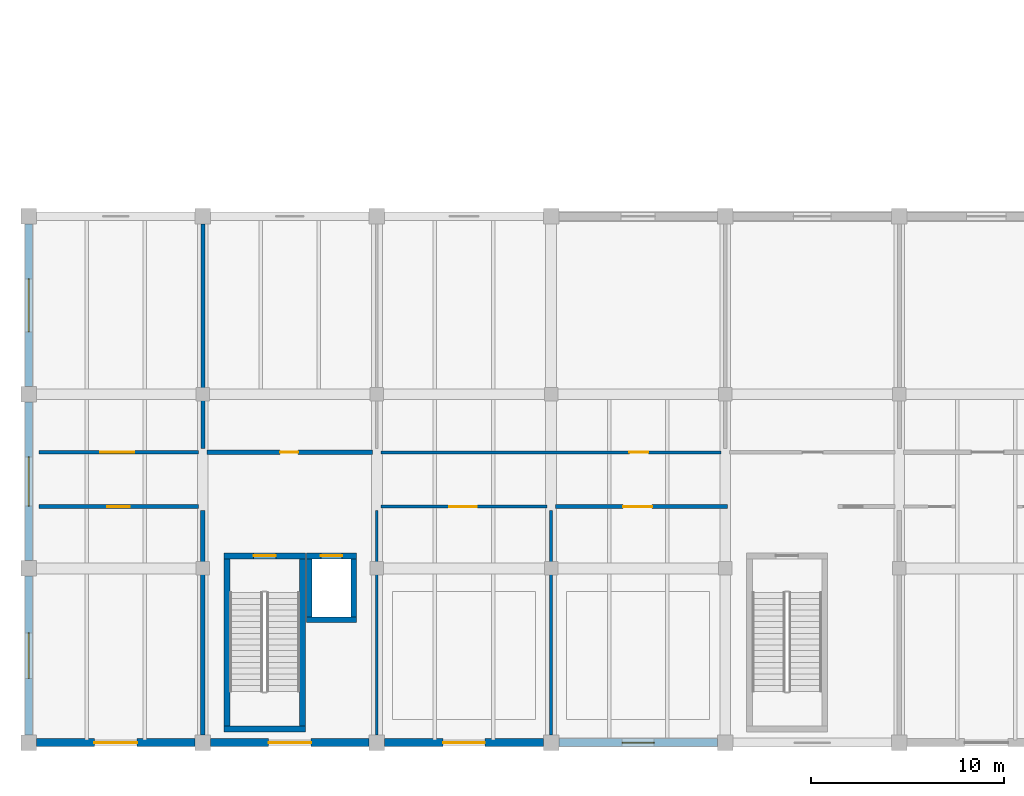
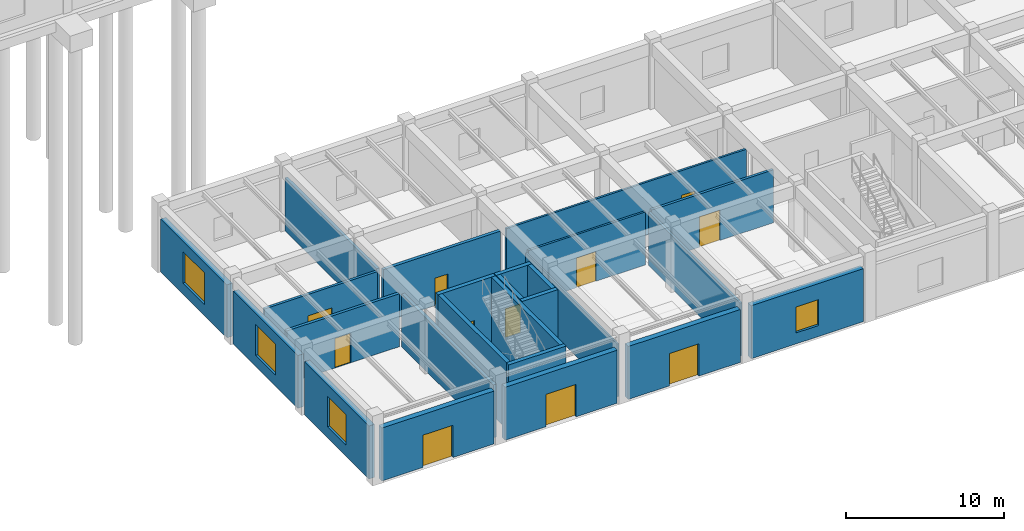
# One storey, part 53 of 76: 25 walls, 11 doors, 4 windows, 15 openings.
"""IFC4 building model written with IfcOpenShell, lengths in metres."""

from ifc_helpers import new_model, si_unit, direction, frame, frame_2d, origin, place, context, subcontext, project, spatial, rectangle, extrude, material, layer, layer_set, type_object, element, fill, save


model = new_model("IFC4")

# Units and contexts
model_context = context("Model", 3, precision=1e-05, world=origin(), true_north=direction((0.0, 1.0)))
body_context = subcontext(model_context, "Body", "Model", "MODEL_VIEW")
ifc_project = project(units=[si_unit("LENGTHUNIT", "METRE"), si_unit("AREAUNIT", "SQUARE_METRE"), si_unit("VOLUMEUNIT", "CUBIC_METRE"), si_unit("PLANEANGLEUNIT", "RADIAN"), si_unit("MASSUNIT", "GRAM", prefix="KILO")], contexts=[model_context])

# Site, building, storey
site_placement = place(None, origin())
site = spatial("IfcSite", under=ifc_project, at=site_placement, CompositionType="ELEMENT")
building_placement = place(site_placement, origin())
building = spatial("IfcBuilding", under=site, at=building_placement, Name="Bozkorgan Art Gallery", CompositionType="ELEMENT")
storey_placement = place(building_placement, origin())
storey = spatial("IfcBuildingStorey", under=building, at=storey_placement, Name="L00", CompositionType="ELEMENT", Elevation=0.0)

# Wall, opening, door
ifc_material_1 = material(Name="Concrete C40/50", Category="concrete")
ifc_layer_1 = layer(ifc_material_1, 0.300048828125, Name="Concrete C40/50")
ifc_layer_set_1 = layer_set([ifc_layer_1], Name="Concrete C40/50")
wall_type_1 = type_object("IfcWallType", Name="IWALL-CW-44", PredefinedType="SHEAR", material=ifc_layer_set_1)
wall_1_placement = place(storey_placement, frame((12.10009765625, 11.64990234375, 0.0), z_axis=(0.0, 0.0, 1.0), x_axis=(1.0, 0.0, 0.0)))
wall_1 = element("IfcWall", 1, at=wall_1_placement, inside=storey, type_object=wall_type_1, Name="CORE1 L00 stair core north shear wall", PredefinedType="SHEAR", context=body_context, shape_type="SweptSolid", body=[
    extrude(rectangle(XDim=4.199951171875, YDim=0.300048828125, at=frame_2d((2.10009765625, 0.0))), origin(), (0.0, 0.0, 1.0), 5.1201171875),
])
opening_1_placement = place(wall_1_placement, frame((1.52490234375, 0.0, 0.0)))
opening_1 = element("IfcOpeningElement", 2, at=opening_1_placement, cuts=wall_1, Name="Opening SD-41", PredefinedType="OPENING", context=body_context, shape_type="SweptSolid", body=[
    extrude(rectangle(XDim=1.14990234375, YDim=2.199951171875, at=frame_2d((0.574951171875, 1.10009765625))), frame((0.0, 0.16015625, 0.0), z_axis=(0.0, -1.0, 0.0), x_axis=(1.0, 0.0, 0.0)), (0.0, 0.0, 1.0), 0.320068359375),
])
ifc_material_2 = material(Name="Steel S355J2", Category="steel")
door_type_1 = type_object("IfcDoorType", Name="IDOOR-SD-41", OperationType="NOTDEFINED", PredefinedType="DOOR", material=ifc_material_2)
door_1_placement = place(opening_1_placement, origin())
door_1 = element("IfcDoor", 3, at=door_1_placement, inside=storey, type_object=door_type_1, Name="ST1 L00 Fire Stair Door", OperationType="SINGLE_SWING_LEFT", OverallHeight=2.199951171875, OverallWidth=1.14990234375, PredefinedType="DOOR", context=body_context, shape_type="SweptSolid", body=[
    extrude(rectangle(XDim=1.14990234375, YDim=2.199951171875, at=frame_2d((0.574951171875, 1.10009765625))), frame((0.0, 0.02490234375, 0.0), z_axis=(0.0, -1.0, 0.0), x_axis=(1.0, 0.0, 0.0)), (0.0, 0.0, 1.0), 0.050048828125),
])
fill(opening_1, door_1)

# Walls
wall_2_placement = place(storey_placement, frame((12.10009765625, 2.699951171875, 0.0), z_axis=(0.0, 0.0, 1.0), x_axis=(1.0, 0.0, 0.0)))
element("IfcWall", 4, at=wall_2_placement, inside=storey, type_object=wall_type_1, Name="CORE1 L00 stair core S shear wall", PredefinedType="SHEAR", context=body_context, shape_type="SweptSolid", body=[
    extrude(rectangle(XDim=4.199951171875, YDim=0.300048828125, at=frame_2d((2.10009765625, 0.0))), origin(), (0.0, 0.0, 1.0), 5.1201171875),
])
for number, where, z_axis, x_axis, name in (
    (5, (12.25, 2.85009765625, 0.0), (0.0, 0.0, 1.0), (0.0, 1.0, 0.0), "CORE1 L00 stair core W shear wall"),
    (6, (16.14990234375, 2.85009765625, 0.0), (0.0, 0.0, 1.0), (0.0, 1.0, 0.0), "CORE1 L00 stair core E shear wall"),
):
    element("IfcWall", number, at=place(storey_placement, frame(where, z_axis=z_axis, x_axis=x_axis)), inside=storey, type_object=wall_type_1, Name=name, PredefinedType="SHEAR", context=body_context, shape_type="SweptSolid", body=[
        extrude(rectangle(XDim=8.64990234375, YDim=0.300048828125, at=frame_2d((4.324951171875, 0.0))), origin(), (0.0, 0.0, 1.0), 5.1201171875),
    ])

# Wall, opening, door
wall_3_placement = place(storey_placement, frame((16.35009765625, 11.64990234375, 0.0), z_axis=(0.0, 0.0, 1.0), x_axis=(1.0, 0.0, 0.0)))
wall_3 = element("IfcWall", 7, at=wall_3_placement, inside=storey, type_object=wall_type_1, Name="PL1 L00 shaft front shear wall", PredefinedType="SHEAR", context=body_context, shape_type="SweptSolid", body=[
    extrude(rectangle(XDim=2.599853515625, YDim=0.300048828125, at=frame_2d((1.2998046875, 0.0))), origin(), (0.0, 0.0, 1.0), 5.1201171875),
])
opening_2_placement = place(wall_3_placement, frame((0.75, 0.0, 0.0)))
opening_2 = element("IfcOpeningElement", 8, at=opening_2_placement, cuts=wall_3, Name="Opening LD-25", PredefinedType="OPENING", context=body_context, shape_type="SweptSolid", body=[
    extrude(rectangle(XDim=1.10009765625, YDim=2.199951171875, at=frame_2d((0.550048828125, 1.10009765625))), frame((0.0, 0.16015625, 0.0), z_axis=(0.0, -1.0, 0.0), x_axis=(1.0, 0.0, 0.0)), (0.0, 0.0, 1.0), 0.320068359375),
])
door_type_2 = type_object("IfcDoorType", Name="IDOOR-LD-25", OperationType="NOTDEFINED", PredefinedType="DOOR", material=ifc_material_2)
door_2_placement = place(opening_2_placement, origin())
door_2 = element("IfcDoor", 9, at=door_2_placement, inside=storey, type_object=door_type_2, Name="LD-PL1-L00 Lift Landing Door", OperationType="SLIDING_TO_LEFT", OverallHeight=2.199951171875, OverallWidth=1.10009765625, PredefinedType="DOOR", context=body_context, shape_type="SweptSolid", body=[
    extrude(rectangle(XDim=1.10009765625, YDim=2.199951171875, at=frame_2d((0.550048828125, 1.10009765625))), frame((0.0, 0.02490234375, 0.0), z_axis=(0.0, -1.0, 0.0), x_axis=(1.0, 0.0, 0.0)), (0.0, 0.0, 1.0), 0.050048828125),
])
fill(opening_2, door_2)

# Walls
wall_4_placement = place(storey_placement, frame((16.35009765625, 8.35009765625, 0.0), z_axis=(0.0, 0.0, 1.0), x_axis=(1.0, 0.0, 0.0)))
element("IfcWall", 10, at=wall_4_placement, inside=storey, type_object=wall_type_1, Name="PL1 L00 shaft S shear wall", PredefinedType="SHEAR", context=body_context, shape_type="SweptSolid", body=[
    extrude(rectangle(XDim=2.599853515625, YDim=0.300048828125, at=frame_2d((1.2998046875, 0.0))), origin(), (0.0, 0.0, 1.0), 5.1201171875),
])
for number, where, z_axis, x_axis, name in (
    (11, (18.800048828125, 8.5, 0.0), (0.0, 0.0, 1.0), (0.0, 1.0, 0.0), "PL1 L00 shaft E shear wall"),
    (12, (16.5, 8.5, 0.0), (0.0, 0.0, 1.0), (0.0, 1.0, 0.0), "PL1 L00 shaft W shear wall"),
):
    element("IfcWall", number, at=place(storey_placement, frame(where, z_axis=z_axis, x_axis=x_axis)), inside=storey, type_object=wall_type_1, Name=name, PredefinedType="SHEAR", context=body_context, shape_type="SweptSolid", body=[
        extrude(rectangle(XDim=3.0, YDim=0.300048828125, at=frame_2d((1.5, 0.0))), origin(), (0.0, 0.0, 1.0), 5.1201171875),
    ])

# Wall, opening, door
ifc_material_3 = material(Name="Acoustic Gypsum & Mineral Wool Partition")
ifc_layer_2 = layer(ifc_material_3, 0.22998046875, Name="Acoustic Gypsum & Mineral Wool Partition")
ifc_layer_set_2 = layer_set([ifc_layer_2], Name="Acoustic Gypsum & Mineral Wool Partition")
wall_type_2 = type_object("IfcWallType", Name="IWALL-PR-08", PredefinedType="PARTITIONING", material=ifc_layer_set_2)
wall_5_placement = place(storey_placement, frame((11.219970703125, 17.0, 0.0), z_axis=(0.0, 0.0, 1.0), x_axis=(1.0, 0.0, 0.0)))
wall_5 = element("IfcWall", 13, at=wall_5_placement, inside=storey, type_object=wall_type_2, Name="V1 L00 acoustic partition wall 29", PredefinedType="PARTITIONING", context=body_context, shape_type="SweptSolid", body=[
    extrude(rectangle(XDim=8.56005859375, YDim=0.22998046875, at=frame_2d((4.280029296875, 0.0))), origin(), (0.0, 0.0, 1.0), 4.094970703125),
])
opening_3_placement = place(wall_5_placement, frame((4.699951171875, 0.0, 0.0), z_axis=(0.0, 0.0, 1.0), x_axis=(-1.0, 0.0, 0.0)))
opening_3 = element("IfcOpeningElement", 14, at=opening_3_placement, cuts=wall_5, Name="Opening FD-12", PredefinedType="OPENING", context=body_context, shape_type="SweptSolid", body=[
    extrude(rectangle(XDim=0.919921875, YDim=2.1201171875, at=frame_2d((0.4599609375, 1.06005859375))), frame((0.0, 0.125, 0.0), z_axis=(0.0, -1.0, 0.0), x_axis=(1.0, 0.0, 0.0)), (0.0, 0.0, 1.0), 0.25),
])
ifc_material_4 = material(Name="Oiled European Oak Joinery")
door_type_3 = type_object("IfcDoorType", Name="IDOOR-FD-12", OperationType="NOTDEFINED", PredefinedType="DOOR", material=ifc_material_4)
door_3_placement = place(opening_3_placement, origin())
door_3 = element("IfcDoor", 15, at=door_3_placement, inside=storey, type_object=door_type_3, Name="Exhibition Catalogue Salon Door", OperationType="SINGLE_SWING_LEFT", OverallHeight=2.1201171875, OverallWidth=0.919921875, PredefinedType="DOOR", context=body_context, shape_type="SweptSolid", body=[
    extrude(rectangle(XDim=0.919921875, YDim=2.1201171875, at=frame_2d((0.4599609375, 1.06005859375))), frame((0.0, 0.02490234375, 0.0), z_axis=(0.0, -1.0, 0.0), x_axis=(1.0, 0.0, 0.0)), (0.0, 0.0, 1.0), 0.050048828125),
])
fill(opening_3, door_3)

ifc_layer_3 = layer(ifc_material_3, 0.2099609375, Name="Acoustic Gypsum & Mineral Wool Partition")
ifc_layer_set_3 = layer_set([ifc_layer_3], Name="Acoustic Gypsum & Mineral Wool Partition")
wall_type_3 = type_object("IfcWallType", Name="IWALL-PR-38", PredefinedType="PARTITIONING", material=ifc_layer_set_3)
wall_6_placement = place(storey_placement, frame((2.5400390625, 14.199951171875, 0.0), z_axis=(0.0, 0.0, 1.0), x_axis=(1.0, 0.0, 0.0)))
wall_6 = element("IfcWall", 16, at=wall_6_placement, inside=storey, type_object=wall_type_3, Name="V1 L00 acoustic partition wall 16", PredefinedType="PARTITIONING", context=body_context, shape_type="SweptSolid", body=[
    extrude(rectangle(XDim=8.239990234375, YDim=0.2099609375, at=frame_2d((4.1201171875, 0.0))), origin(), (0.0, 0.0, 1.0), 4.094970703125),
])
opening_4_placement = place(wall_6_placement, frame((3.519287109375, 0.0, 0.0)))
opening_4 = element("IfcOpeningElement", 17, at=opening_4_placement, cuts=wall_6, Name="Opening FD-03", PredefinedType="OPENING", context=body_context, shape_type="SweptSolid", body=[
    extrude(rectangle(XDim=1.159912109375, YDim=2.280029296875, at=frame_2d((0.580078125, 1.14013671875))), frame((0.0, 0.114990234375, 0.0), z_axis=(0.0, -1.0, 0.0), x_axis=(1.0, 0.0, 0.0)), (0.0, 0.0, 1.0), 0.22998046875),
])
door_type_4 = type_object("IfcDoorType", Name="IDOOR-FD-03", OperationType="NOTDEFINED", PredefinedType="DOOR", material=ifc_material_4)
door_4_placement = place(opening_4_placement, origin())
door_4 = element("IfcDoor", 18, at=door_4_placement, inside=storey, type_object=door_type_4, Name="Grand Ticketing Foyer Door", OperationType="SINGLE_SWING_RIGHT", OverallHeight=2.280029296875, OverallWidth=1.159912109375, PredefinedType="DOOR", context=body_context, shape_type="SweptSolid", body=[
    extrude(rectangle(XDim=1.159912109375, YDim=2.280029296875, at=frame_2d((0.580078125, 1.14013671875))), frame((0.0, 0.02490234375, 0.0), z_axis=(0.0, -1.0, 0.0), x_axis=(1.0, 0.0, 0.0)), (0.0, 0.0, 1.0), 0.050048828125),
])
fill(opening_4, door_4)

ifc_layer_4 = layer(ifc_material_3, 0.14990234375, Name="Acoustic Gypsum & Mineral Wool Partition")
ifc_layer_set_4 = layer_set([ifc_layer_4], Name="Acoustic Gypsum & Mineral Wool Partition")
wall_type_4 = type_object("IfcWallType", Name="IWALL-PR-55", PredefinedType="PARTITIONING", material=ifc_layer_set_4)
wall_7_placement = place(storey_placement, frame((20.219970703125, 14.199951171875, 0.0), z_axis=(0.0, 0.0, 1.0), x_axis=(1.0, 0.0, 0.0)))
wall_7 = element("IfcWall", 19, at=wall_7_placement, inside=storey, type_object=wall_type_4, Name="V1 L00 acoustic partition wall 19", PredefinedType="PARTITIONING", context=body_context, shape_type="SweptSolid", body=[
    extrude(rectangle(XDim=8.56005859375, YDim=0.14990234375, at=frame_2d((4.280029296875, 0.0))), origin(), (0.0, 0.0, 1.0), 4.094970703125),
])
opening_5_placement = place(wall_7_placement, frame((3.530029296875, 0.0, 0.0)))
opening_5 = element("IfcOpeningElement", 20, at=opening_5_placement, cuts=wall_7, Name="Opening GD-50", PredefinedType="OPENING", context=body_context, shape_type="SweptSolid", body=[
    extrude(rectangle(XDim=1.419921875, YDim=2.300048828125, at=frame_2d((0.7099609375, 1.14990234375))), frame((0.0, 0.0849609375, 0.0), z_axis=(0.0, -1.0, 0.0), x_axis=(1.0, 0.0, 0.0)), (0.0, 0.0, 1.0), 0.169921875),
])
door_type_5 = type_object("IfcDoorType", Name="IDOOR-GD-50", OperationType="NOTDEFINED", PredefinedType="DOOR", material=ifc_material_4)
door_5_placement = place(opening_5_placement, origin())
door_5 = element("IfcDoor", 21, at=door_5_placement, inside=storey, type_object=door_type_5, Name="Cloakroom Reception Hall Door", OperationType="DOUBLE_DOOR_SINGLE_SWING", OverallHeight=2.300048828125, OverallWidth=1.419921875, PredefinedType="DOOR", context=body_context, shape_type="SweptSolid", body=[
    extrude(rectangle(XDim=1.419921875, YDim=2.300048828125, at=frame_2d((0.7099609375, 1.14990234375))), frame((0.0, 0.02490234375, 0.0), z_axis=(0.0, -1.0, 0.0), x_axis=(1.0, 0.0, 0.0)), (0.0, 0.0, 1.0), 0.050048828125),
])
fill(opening_5, door_5)

wall_8_placement = place(storey_placement, frame((20.219970703125, 17.0, 0.0), z_axis=(0.0, 0.0, 1.0), x_axis=(1.0, 0.0, 0.0)))
wall_8 = element("IfcWall", 22, at=wall_8_placement, inside=storey, type_object=wall_type_4, Name="V1 L00 acoustic partition wall 31", PredefinedType="PARTITIONING", context=body_context, shape_type="SweptSolid", body=[
    extrude(rectangle(XDim=17.56005859375, YDim=0.14990234375, at=frame_2d((8.780029296875, 0.0))), origin(), (0.0, 0.0, 1.0), 4.094970703125),
])
opening_6_placement = place(wall_8_placement, frame((13.8056640625, 0.0, 0.0), z_axis=(0.0, 0.0, 1.0), x_axis=(-1.0, 0.0, 0.0)))
opening_6 = element("IfcOpeningElement", 23, at=opening_6_placement, cuts=wall_8, Name="Opening FD-75", PredefinedType="OPENING", context=body_context, shape_type="SweptSolid", body=[
    extrude(rectangle(XDim=0.97998046875, YDim=2.179931640625, at=frame_2d((0.489990234375, 1.08984375))), frame((0.0, 0.0849609375, 0.0), z_axis=(0.0, -1.0, 0.0), x_axis=(1.0, 0.0, 0.0)), (0.0, 0.0, 1.0), 0.169921875),
])
door_type_6 = type_object("IfcDoorType", Name="IDOOR-FD-75", OperationType="NOTDEFINED", PredefinedType="DOOR", material=ifc_material_4)
door_6_placement = place(opening_6_placement, origin())
door_6 = element("IfcDoor", 24, at=door_6_placement, inside=storey, type_object=door_type_6, Name="Visitor Cloakroom Door", OperationType="SINGLE_SWING_RIGHT", OverallHeight=2.179931640625, OverallWidth=0.97998046875, PredefinedType="DOOR", context=body_context, shape_type="SweptSolid", body=[
    extrude(rectangle(XDim=0.97998046875, YDim=2.179931640625, at=frame_2d((0.489990234375, 1.08984375))), frame((0.0, 0.02490234375, 0.0), z_axis=(0.0, -1.0, 0.0), x_axis=(1.0, 0.0, 0.0)), (0.0, 0.0, 1.0), 0.050048828125),
])
fill(opening_6, door_6)

ifc_layer_5 = layer(ifc_material_3, 0.18994140625, Name="Acoustic Gypsum & Mineral Wool Partition")
ifc_layer_set_5 = layer_set([ifc_layer_5], Name="Acoustic Gypsum & Mineral Wool Partition")
wall_type_5 = type_object("IfcWallType", Name="IWALL-PR-66", PredefinedType="PARTITIONING", material=ifc_layer_set_5)
wall_9_placement = place(storey_placement, frame((29.219970703125, 14.199951171875, 0.0), z_axis=(0.0, 0.0, 1.0), x_axis=(1.0, 0.0, 0.0)))
wall_9 = element("IfcWall", 25, at=wall_9_placement, inside=storey, type_object=wall_type_5, Name="V1 L00 acoustic partition wall 21", PredefinedType="PARTITIONING", context=body_context, shape_type="SweptSolid", body=[
    extrude(rectangle(XDim=8.909912109375, YDim=0.18994140625, at=frame_2d((4.455078125, 0.0))), origin(), (0.0, 0.0, 1.0), 4.094970703125),
])
opening_7_placement = place(wall_9_placement, frame((3.504638671875, 0.0, 0.0)))
opening_7 = element("IfcOpeningElement", 26, at=opening_7_placement, cuts=wall_9, Name="Opening GD-06", PredefinedType="OPENING", context=body_context, shape_type="SweptSolid", body=[
    extrude(rectangle(XDim=1.5, YDim=2.35009765625, at=frame_2d((0.75, 1.175048828125))), frame((0.0, 0.10498046875, 0.0), z_axis=(0.0, -1.0, 0.0), x_axis=(1.0, 0.0, 0.0)), (0.0, 0.0, 1.0), 0.2099609375),
])
door_type_7 = type_object("IfcDoorType", Name="IDOOR-GD-06", OperationType="NOTDEFINED", PredefinedType="DOOR", material=ifc_material_4)
door_7_placement = place(opening_7_placement, origin())
door_7 = element("IfcDoor", 27, at=door_7_placement, inside=storey, type_object=door_type_7, Name="Temporary Exhibition Hall Door", OperationType="DOUBLE_DOOR_SINGLE_SWING", OverallHeight=2.35009765625, OverallWidth=1.5, PredefinedType="DOOR", context=body_context, shape_type="SweptSolid", body=[
    extrude(rectangle(XDim=1.5, YDim=2.35009765625, at=frame_2d((0.75, 1.175048828125))), frame((0.0, 0.02490234375, 0.0), z_axis=(0.0, -1.0, 0.0), x_axis=(1.0, 0.0, 0.0)), (0.0, 0.0, 1.0), 0.050048828125),
])
fill(opening_7, door_7)

wall_10_placement = place(storey_placement, frame((2.5400390625, 17.0, 0.0), z_axis=(0.0, 0.0, 1.0), x_axis=(1.0, 0.0, 0.0)))
wall_10 = element("IfcWall", 28, at=wall_10_placement, inside=storey, type_object=wall_type_5, Name="V1 L00 acoustic partition wall 27", PredefinedType="PARTITIONING", context=body_context, shape_type="SweptSolid", body=[
    extrude(rectangle(XDim=8.239990234375, YDim=0.18994140625, at=frame_2d((4.1201171875, 0.0))), origin(), (0.0, 0.0, 1.0), 4.094970703125),
])
opening_8_placement = place(wall_10_placement, frame((4.92529296875, 0.0, 0.0), z_axis=(0.0, 0.0, 1.0), x_axis=(-1.0, 0.0, 0.0)))
opening_8 = element("IfcOpeningElement", 29, at=opening_8_placement, cuts=wall_10, Name="Opening GD-53", PredefinedType="OPENING", context=body_context, shape_type="SweptSolid", body=[
    extrude(rectangle(XDim=1.760009765625, YDim=2.449951171875, at=frame_2d((0.8798828125, 1.22509765625))), frame((0.0, 0.10498046875, 0.0), z_axis=(0.0, -1.0, 0.0), x_axis=(1.0, 0.0, 0.0)), (0.0, 0.0, 1.0), 0.2099609375),
])
door_type_8 = type_object("IfcDoorType", Name="IDOOR-GD-53", OperationType="NOTDEFINED", PredefinedType="DOOR", material=ifc_material_4)
door_8_placement = place(opening_8_placement, origin())
door_8 = element("IfcDoor", 30, at=door_8_placement, inside=storey, type_object=door_type_8, Name="Curatorial Study Gallery Door", OperationType="DOUBLE_DOOR_SINGLE_SWING", OverallHeight=2.449951171875, OverallWidth=1.760009765625, PredefinedType="DOOR", context=body_context, shape_type="SweptSolid", body=[
    extrude(rectangle(XDim=1.760009765625, YDim=2.449951171875, at=frame_2d((0.8798828125, 1.22509765625))), frame((0.0, 0.02490234375, 0.0), z_axis=(0.0, -1.0, 0.0), x_axis=(1.0, 0.0, 0.0)), (0.0, 0.0, 1.0), 0.050048828125),
])
fill(opening_8, door_8)

# Walls
ifc_layer_6 = layer(ifc_material_3, 0.169921875, Name="Acoustic Gypsum & Mineral Wool Partition")
ifc_layer_set_6 = layer_set([ifc_layer_6], Name="Acoustic Gypsum & Mineral Wool Partition")
wall_type_6 = type_object("IfcWallType", Name="IWALL-PW-02", PredefinedType="PARTITIONING", material=ifc_layer_set_6)
wall_11_placement = place(storey_placement, frame((29.0, 2.39990234375, 0.0), z_axis=(0.0, 0.0, 1.0), x_axis=(0.0, 1.0, 0.0)))
element("IfcWall", 31, at=wall_11_placement, inside=storey, type_object=wall_type_6, Name="V1 L00 acoustic partition wall 20", PredefinedType="PARTITIONING", context=body_context, shape_type="SweptSolid", body=[
    extrude(rectangle(XDim=11.60009765625, YDim=0.169921875, at=frame_2d((5.800048828125, 0.0))), origin(), (0.0, 0.0, 1.0), 4.094970703125),
])
ifc_layer_7 = layer(ifc_material_3, 0.2099609375, Name="Acoustic Gypsum & Mineral Wool Partition")
ifc_layer_set_7 = layer_set([ifc_layer_7], Name="Acoustic Gypsum & Mineral Wool Partition")
wall_type_7 = type_object("IfcWallType", Name="IWALL-PW-72", PredefinedType="PARTITIONING", material=ifc_layer_set_7)
wall_12_placement = place(storey_placement, frame((11.0, 17.199951171875, 0.0), z_axis=(0.0, 0.0, 1.0), x_axis=(0.0, 1.0, 0.0)))
element("IfcWall", 32, at=wall_12_placement, inside=storey, type_object=wall_type_7, Name="V1 L00 acoustic partition wall 28", PredefinedType="PARTITIONING", context=body_context, shape_type="SweptSolid", body=[
    extrude(rectangle(XDim=11.60009765625, YDim=0.2099609375, at=frame_2d((5.800048828125, 0.0))), origin(), (0.0, 0.0, 1.0), 4.094970703125),
])
ifc_layer_8 = layer(ifc_material_3, 0.22998046875, Name="Acoustic Gypsum & Mineral Wool Partition")
ifc_layer_set_8 = layer_set([ifc_layer_8], Name="Acoustic Gypsum & Mineral Wool Partition")
wall_type_8 = type_object("IfcWallType", Name="IWALL-PW-96", PredefinedType="PARTITIONING", material=ifc_layer_set_8)
wall_13_placement = place(storey_placement, frame((11.0, 2.39990234375, 0.0), z_axis=(0.0, 0.0, 1.0), x_axis=(0.0, 1.0, 0.0)))
element("IfcWall", 33, at=wall_13_placement, inside=storey, type_object=wall_type_8, Name="V1 L00 acoustic partition wall 17", PredefinedType="PARTITIONING", context=body_context, shape_type="SweptSolid", body=[
    extrude(rectangle(XDim=11.60009765625, YDim=0.22998046875, at=frame_2d((5.800048828125, 0.0))), origin(), (0.0, 0.0, 1.0), 4.094970703125),
])
ifc_layer_9 = layer(ifc_material_3, 0.1298828125, Name="Acoustic Gypsum & Mineral Wool Partition")
ifc_layer_set_9 = layer_set([ifc_layer_9], Name="Acoustic Gypsum & Mineral Wool Partition")
wall_type_9 = type_object("IfcWallType", Name="IWALL-PW-97", PredefinedType="PARTITIONING", material=ifc_layer_set_9)
wall_14_placement = place(storey_placement, frame((20.0, 2.39990234375, 0.0), z_axis=(0.0, 0.0, 1.0), x_axis=(0.0, 1.0, 0.0)))
element("IfcWall", 34, at=wall_14_placement, inside=storey, type_object=wall_type_9, Name="V1 L00 acoustic partition wall 18", PredefinedType="PARTITIONING", context=body_context, shape_type="SweptSolid", body=[
    extrude(rectangle(XDim=11.60009765625, YDim=0.1298828125, at=frame_2d((5.800048828125, 0.0))), origin(), (0.0, 0.0, 1.0), 4.094970703125),
])

# Wall, opening, door
ifc_material_5 = material(Name="Kordai Rose Granite Ashlar", Category="masonry")
ifc_layer_10 = layer(ifc_material_5, 0.39990234375, Name="Kordai Rose Granite Ashlar")
ifc_layer_set_10 = layer_set([ifc_layer_10], Name="Kordai Rose Granite Ashlar")
wall_type_10 = type_object("IfcWallType", Name="WALL-EW-92", PredefinedType="STANDARD", material=ifc_layer_set_10)
wall_15_placement = place(storey_placement, frame((2.39990234375, 2.0, 0.0), z_axis=(0.0, 0.0, 1.0), x_axis=(1.0, 0.0, 0.0)))
wall_15 = element("IfcWall", 35, at=wall_15_placement, inside=storey, type_object=wall_type_10, Name="V1 L00 entrance portal wall (ED10)", PredefinedType="STANDARD", context=body_context, shape_type="SweptSolid", body=[
    extrude(rectangle(XDim=8.2001953125, YDim=0.39990234375, at=frame_2d((4.10009765625, 0.0))), origin(), (0.0, 0.0, 1.0), 4.094970703125),
])
opening_9_placement = place(wall_15_placement, frame((5.199951171875, 0.0, 0.0), z_axis=(0.0, 0.0, 1.0), x_axis=(-1.0, 0.0, 0.0)))
opening_9 = element("IfcOpeningElement", 36, at=opening_9_placement, cuts=wall_15, Name="Opening ED-97", PredefinedType="OPENING", context=body_context, shape_type="SweptSolid", body=[
    extrude(rectangle(XDim=2.199951171875, YDim=2.5, at=frame_2d((1.10009765625, 1.25))), frame((0.0, 0.2099609375, 0.0), z_axis=(0.0, -1.0, 0.0), x_axis=(1.0, 0.0, 0.0)), (0.0, 0.0, 1.0), 0.419921875),
])
ifc_material_6 = material(Name="Anodised Bronze Aluminium", Category="aluminium")
door_type_9 = type_object("IfcDoorType", Name="DOOR-ED-97", OperationType="NOTDEFINED", PredefinedType="DOOR", material=ifc_material_6)
door_9_placement = place(opening_9_placement, origin())
door_9 = element("IfcDoor", 37, at=door_9_placement, inside=storey, type_object=door_type_9, Name="ED10 Final Exit Portal Door", OperationType="DOUBLE_DOOR_SINGLE_SWING", OverallHeight=2.5, OverallWidth=2.199951171875, PredefinedType="DOOR", context=body_context, shape_type="SweptSolid", body=[
    extrude(rectangle(XDim=2.199951171875, YDim=2.5, at=frame_2d((1.10009765625, 1.25))), frame((0.0, 0.02490234375, 0.0), z_axis=(0.0, -1.0, 0.0), x_axis=(1.0, 0.0, 0.0)), (0.0, 0.0, 1.0), 0.050048828125),
])
fill(opening_9, door_9)

wall_16_placement = place(storey_placement, frame((11.39990234375, 2.0, 0.0), z_axis=(0.0, 0.0, 1.0), x_axis=(1.0, 0.0, 0.0)))
wall_16 = element("IfcWall", 38, at=wall_16_placement, inside=storey, type_object=wall_type_10, Name="V1 L00 entrance portal wall (ED01)", PredefinedType="STANDARD", context=body_context, shape_type="SweptSolid", body=[
    extrude(rectangle(XDim=8.2001953125, YDim=0.39990234375, at=frame_2d((4.10009765625, 0.0))), origin(), (0.0, 0.0, 1.0), 4.094970703125),
])
opening_10_placement = place(wall_16_placement, frame((5.199951171875, 0.0, 0.0), z_axis=(0.0, 0.0, 1.0), x_axis=(-1.0, 0.0, 0.0)))
opening_10 = element("IfcOpeningElement", 39, at=opening_10_placement, cuts=wall_16, Name="Opening ED-97", PredefinedType="OPENING", context=body_context, shape_type="SweptSolid", body=[
    extrude(rectangle(XDim=2.199951171875, YDim=2.5, at=frame_2d((1.10009765625, 1.25))), frame((0.0, 0.2099609375, 0.0), z_axis=(0.0, -1.0, 0.0), x_axis=(1.0, 0.0, 0.0)), (0.0, 0.0, 1.0), 0.419921875),
])
door_10_placement = place(opening_10_placement, origin())
door_10 = element("IfcDoor", 40, at=door_10_placement, inside=storey, type_object=door_type_9, Name="ED01 Final Exit Portal Door", OperationType="DOUBLE_DOOR_SINGLE_SWING", OverallHeight=2.5, OverallWidth=2.199951171875, PredefinedType="DOOR", context=body_context, shape_type="SweptSolid", body=[
    extrude(rectangle(XDim=2.199951171875, YDim=2.5, at=frame_2d((1.10009765625, 1.25))), frame((0.0, 0.02490234375, 0.0), z_axis=(0.0, -1.0, 0.0), x_axis=(1.0, 0.0, 0.0)), (0.0, 0.0, 1.0), 0.050048828125),
])
fill(opening_10, door_10)

wall_17_placement = place(storey_placement, frame((20.39990234375, 2.0, 0.0), z_axis=(0.0, 0.0, 1.0), x_axis=(1.0, 0.0, 0.0)))
wall_17 = element("IfcWall", 41, at=wall_17_placement, inside=storey, type_object=wall_type_10, Name="V1 L00 entrance portal wall (ED11)", PredefinedType="STANDARD", context=body_context, shape_type="SweptSolid", body=[
    extrude(rectangle(XDim=8.2001953125, YDim=0.39990234375, at=frame_2d((4.10009765625, 0.0))), origin(), (0.0, 0.0, 1.0), 4.094970703125),
])
opening_11_placement = place(wall_17_placement, frame((5.1748046875, 0.0, 0.0), z_axis=(0.0, 0.0, 1.0), x_axis=(-1.0, 0.0, 0.0)))
opening_11 = element("IfcOpeningElement", 42, at=opening_11_placement, cuts=wall_17, Name="Opening ED-62", PredefinedType="OPENING", context=body_context, shape_type="SweptSolid", body=[
    extrude(rectangle(XDim=2.14990234375, YDim=2.5, at=frame_2d((1.074951171875, 1.25))), frame((0.0, 0.2099609375, 0.0), z_axis=(0.0, -1.0, 0.0), x_axis=(1.0, 0.0, 0.0)), (0.0, 0.0, 1.0), 0.419921875),
])
door_type_10 = type_object("IfcDoorType", Name="DOOR-ED-62", OperationType="NOTDEFINED", PredefinedType="DOOR", material=ifc_material_6)
door_11_placement = place(opening_11_placement, origin())
door_11 = element("IfcDoor", 43, at=door_11_placement, inside=storey, type_object=door_type_10, Name="ED11 Final Exit Portal Door", OperationType="DOUBLE_DOOR_SINGLE_SWING", OverallHeight=2.5, OverallWidth=2.14990234375, PredefinedType="DOOR", context=body_context, shape_type="SweptSolid", body=[
    extrude(rectangle(XDim=2.14990234375, YDim=2.5, at=frame_2d((1.074951171875, 1.25))), frame((0.0, 0.02490234375, 0.0), z_axis=(0.0, -1.0, 0.0), x_axis=(1.0, 0.0, 0.0)), (0.0, 0.0, 1.0), 0.050048828125),
])
fill(opening_11, door_11)

# Wall, opening, window
ifc_layer_11 = layer(ifc_material_5, 0.39990234375, Name="Kordai Rose Granite Ashlar")
ifc_layer_set_11 = layer_set([ifc_layer_11], Name="Kordai Rose Granite Ashlar")
wall_type_11 = type_object("IfcWallType", Name="WALL-WG-66", PredefinedType="STANDARD", material=ifc_layer_set_11)
wall_18_placement = place(storey_placement, frame((29.39990234375, 2.0, 0.0), z_axis=(0.0, 0.0, 1.0), x_axis=(1.0, 0.0, 0.0)))
wall_18 = element("IfcWall", 44, at=wall_18_placement, inside=storey, type_object=wall_type_11, Name="V1 L00 exterior facade wall 1S-7", PredefinedType="STANDARD", context=body_context, shape_type="SweptSolid", body=[
    extrude(rectangle(XDim=8.2001953125, YDim=0.39990234375, at=frame_2d((4.10009765625, 0.0))), origin(), (0.0, 0.0, 1.0), 4.094970703125),
])
opening_12_placement = place(wall_18_placement, frame((4.9248046875, 0.0, 0.85009765625), z_axis=(0.0, 0.0, 1.0), x_axis=(-1.0, 0.0, 0.0)))
opening_12 = element("IfcOpeningElement", 45, at=opening_12_placement, cuts=wall_18, Name="Opening WN-36", PredefinedType="OPENING", context=body_context, shape_type="SweptSolid", body=[
    extrude(rectangle(XDim=1.64990234375, YDim=2.0, at=frame_2d((0.824951171875, 1.0))), frame((0.0, 0.2099609375, 0.0), z_axis=(0.0, -1.0, 0.0), x_axis=(1.0, 0.0, 0.0)), (0.0, 0.0, 1.0), 0.419921875),
])
ifc_material_7 = material(Name="Triple Low-E Laminated Glass", Category="glass")
window_type_1 = type_object("IfcWindowType", Name="WIN-WN-36", PartitioningType="SINGLE_PANEL", PredefinedType="WINDOW", material=ifc_material_7)
window_1_placement = place(opening_12_placement, origin())
window_1 = element("IfcWindow", 46, at=window_1_placement, inside=storey, type_object=window_type_1, Name="V1 L00 gallery window 1S-7", OverallHeight=2.0, OverallWidth=1.64990234375, PartitioningType="SINGLE_PANEL", PredefinedType="WINDOW", context=body_context, shape_type="SweptSolid", body=[
    extrude(rectangle(XDim=1.64990234375, YDim=2.0, at=frame_2d((0.824951171875, 1.0))), frame((0.0, 0.030029296875, 0.0), z_axis=(0.0, -1.0, 0.0), x_axis=(1.0, 0.0, 0.0)), (0.0, 0.0, 1.0), 0.06005859375),
])
fill(opening_12, window_1)

wall_19_placement = place(storey_placement, frame((2.0, 2.39990234375, 0.0), z_axis=(0.0, 0.0, 1.0), x_axis=(0.0, 1.0, 0.0)))
wall_19 = element("IfcWall", 47, at=wall_19_placement, inside=storey, type_object=wall_type_11, Name="V1 L00 exterior facade wall 1W-15", PredefinedType="STANDARD", context=body_context, shape_type="SweptSolid", body=[
    extrude(rectangle(XDim=8.2001953125, YDim=0.39990234375, at=frame_2d((4.10009765625, 0.0))), origin(), (0.0, 0.0, 1.0), 4.094970703125),
])
opening_13_placement = place(wall_19_placement, frame((2.925048828125, 0.0, 0.85009765625)))
opening_13 = element("IfcOpeningElement", 48, at=opening_13_placement, cuts=wall_19, Name="Opening WN-47", PredefinedType="OPENING", context=body_context, shape_type="SweptSolid", body=[
    extrude(rectangle(XDim=2.35009765625, YDim=2.35009765625, at=frame_2d((1.175048828125, 1.175048828125))), frame((0.0, 0.2099609375, 0.0), z_axis=(0.0, -1.0, 0.0), x_axis=(1.0, 0.0, 0.0)), (0.0, 0.0, 1.0), 0.419921875),
])
window_type_2 = type_object("IfcWindowType", Name="WIN-WN-47", PartitioningType="SINGLE_PANEL", PredefinedType="WINDOW", material=ifc_material_7)
window_2_placement = place(opening_13_placement, origin())
window_2 = element("IfcWindow", 49, at=window_2_placement, inside=storey, type_object=window_type_2, Name="V1 L00 gallery window 1W-15", OverallHeight=2.35009765625, OverallWidth=2.35009765625, PartitioningType="SINGLE_PANEL", PredefinedType="WINDOW", context=body_context, shape_type="SweptSolid", body=[
    extrude(rectangle(XDim=2.35009765625, YDim=2.35009765625, at=frame_2d((1.175048828125, 1.175048828125))), frame((0.0, 0.030029296875, 0.0), z_axis=(0.0, -1.0, 0.0), x_axis=(1.0, 0.0, 0.0)), (0.0, 0.0, 1.0), 0.06005859375),
])
fill(opening_13, window_2)

wall_20_placement = place(storey_placement, frame((2.0, 11.39990234375, 0.0), z_axis=(0.0, 0.0, 1.0), x_axis=(0.0, 1.0, 0.0)))
wall_20 = element("IfcWall", 50, at=wall_20_placement, inside=storey, type_object=wall_type_11, Name="V1 L00 exterior facade wall 1W-17", PredefinedType="STANDARD", context=body_context, shape_type="SweptSolid", body=[
    extrude(rectangle(XDim=8.2001953125, YDim=0.39990234375, at=frame_2d((4.10009765625, 0.0))), origin(), (0.0, 0.0, 1.0), 4.094970703125),
])
opening_14_placement = place(wall_20_placement, frame((2.824951171875, 0.0, 0.85009765625)))
opening_14 = element("IfcOpeningElement", 51, at=opening_14_placement, cuts=wall_20, Name="Opening WN-23", PredefinedType="OPENING", context=body_context, shape_type="SweptSolid", body=[
    extrude(rectangle(XDim=2.550048828125, YDim=2.39990234375, at=frame_2d((1.27490234375, 1.199951171875))), frame((0.0, 0.2099609375, 0.0), z_axis=(0.0, -1.0, 0.0), x_axis=(1.0, 0.0, 0.0)), (0.0, 0.0, 1.0), 0.419921875),
])
window_type_3 = type_object("IfcWindowType", Name="WIN-WN-23", PartitioningType="SINGLE_PANEL", PredefinedType="WINDOW", material=ifc_material_7)
window_3_placement = place(opening_14_placement, origin())
window_3 = element("IfcWindow", 52, at=window_3_placement, inside=storey, type_object=window_type_3, Name="V1 L00 gallery window 1W-17", OverallHeight=2.39990234375, OverallWidth=2.550048828125, PartitioningType="SINGLE_PANEL", PredefinedType="WINDOW", context=body_context, shape_type="SweptSolid", body=[
    extrude(rectangle(XDim=2.550048828125, YDim=2.39990234375, at=frame_2d((1.27490234375, 1.199951171875))), frame((0.0, 0.030029296875, 0.0), z_axis=(0.0, -1.0, 0.0), x_axis=(1.0, 0.0, 0.0)), (0.0, 0.0, 1.0), 0.06005859375),
])
fill(opening_14, window_3)

wall_21_placement = place(storey_placement, frame((2.0, 20.39990234375, 0.0), z_axis=(0.0, 0.0, 1.0), x_axis=(0.0, 1.0, 0.0)))
wall_21 = element("IfcWall", 53, at=wall_21_placement, inside=storey, type_object=wall_type_11, Name="V1 L00 exterior facade wall 1W-19", PredefinedType="STANDARD", context=body_context, shape_type="SweptSolid", body=[
    extrude(rectangle(XDim=8.400146484375, YDim=0.39990234375, at=frame_2d((4.2001953125, 0.0))), origin(), (0.0, 0.0, 1.0), 4.094970703125),
])
opening_15_placement = place(wall_21_placement, frame((2.824951171875, 0.0, 0.85009765625)))
opening_15 = element("IfcOpeningElement", 54, at=opening_15_placement, cuts=wall_21, Name="Opening WN-02", PredefinedType="OPENING", context=body_context, shape_type="SweptSolid", body=[
    extrude(rectangle(XDim=2.75, YDim=2.449951171875, at=frame_2d((1.375, 1.22509765625))), frame((0.0, 0.2099609375, 0.0), z_axis=(0.0, -1.0, 0.0), x_axis=(1.0, 0.0, 0.0)), (0.0, 0.0, 1.0), 0.419921875),
])
window_type_4 = type_object("IfcWindowType", Name="WIN-WN-02", PartitioningType="SINGLE_PANEL", PredefinedType="WINDOW", material=ifc_material_7)
window_4_placement = place(opening_15_placement, origin())
window_4 = element("IfcWindow", 55, at=window_4_placement, inside=storey, type_object=window_type_4, Name="V1 L00 gallery window 1W-19", OverallHeight=2.449951171875, OverallWidth=2.75, PartitioningType="SINGLE_PANEL", PredefinedType="WINDOW", context=body_context, shape_type="SweptSolid", body=[
    extrude(rectangle(XDim=2.75, YDim=2.449951171875, at=frame_2d((1.375, 1.22509765625))), frame((0.0, 0.030029296875, 0.0), z_axis=(0.0, -1.0, 0.0), x_axis=(1.0, 0.0, 0.0)), (0.0, 0.0, 1.0), 0.06005859375),
])
fill(opening_15, window_4)

save(model, "model.ifc")
